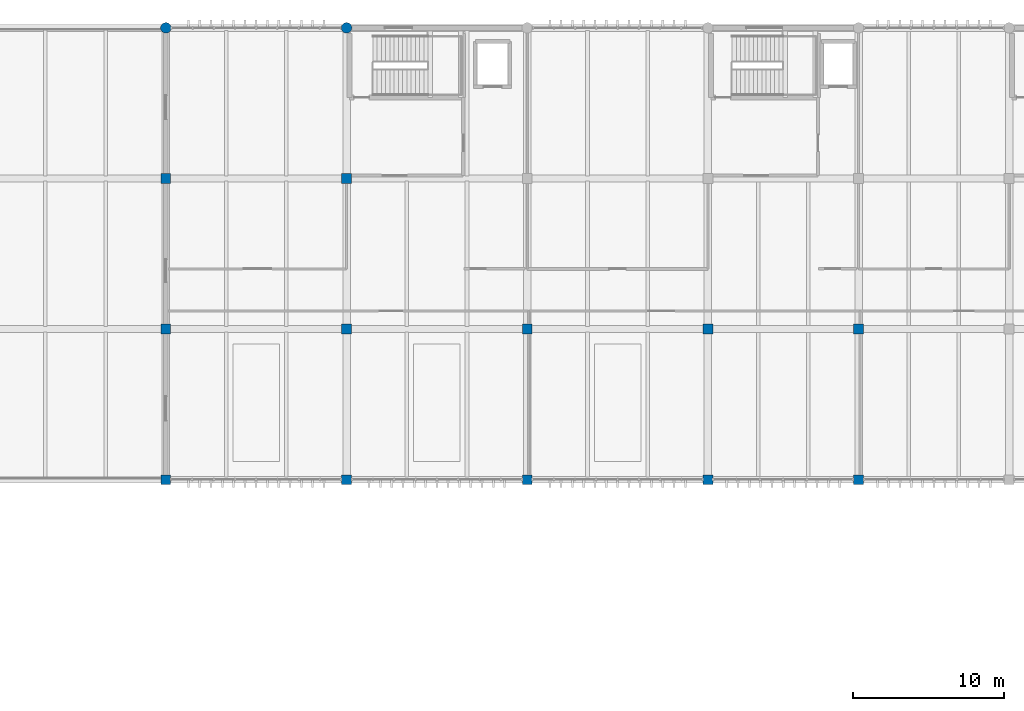
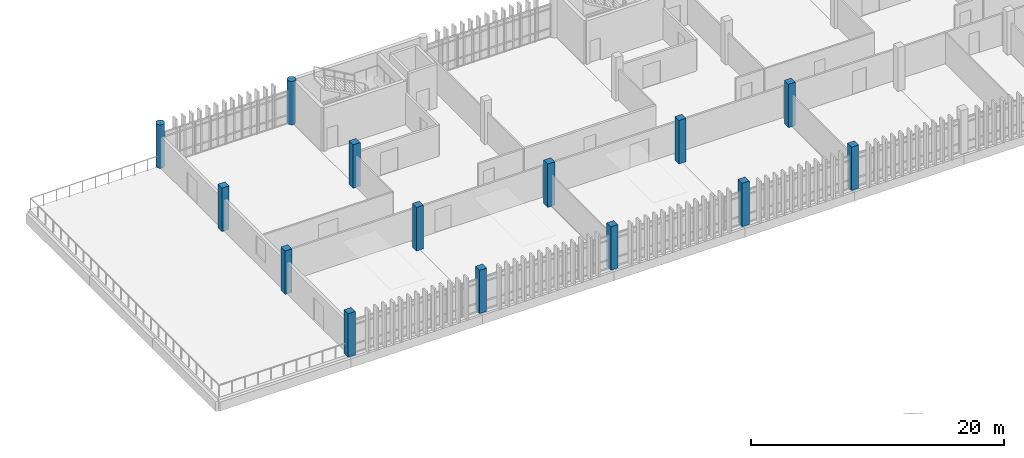
# One storey, part 1 of 82: 14 columns.
"""IFC4 building model written with IfcOpenShell, lengths in metres."""

from ifc_helpers import new_model, si_unit, direction, frame, origin, origin_2d, place, context, subcontext, project, spatial, rectangle, circle, extrude, material, material_profile, profile_set, type_object, element, save


model = new_model("IFC4")

# Units and contexts
model_context = context("Model", 3, precision=1e-05, world=origin(), true_north=direction((0.0, 1.0)))
body_context = subcontext(model_context, "Body", "Model", "MODEL_VIEW")
ifc_project = project(units=[si_unit("LENGTHUNIT", "METRE"), si_unit("AREAUNIT", "SQUARE_METRE"), si_unit("VOLUMEUNIT", "CUBIC_METRE"), si_unit("PLANEANGLEUNIT", "RADIAN"), si_unit("MASSUNIT", "GRAM", prefix="KILO")], contexts=[model_context])

# Site, building, storey
site_placement = place(None, origin())
site = spatial("IfcSite", under=ifc_project, at=site_placement, CompositionType="ELEMENT")
building_placement = place(site_placement, origin())
building = spatial("IfcBuilding", under=site, at=building_placement, Name="Mersad Railyard Sports Hall", CompositionType="ELEMENT")
storey_placement = place(building_placement, frame((0.0, 0.0, 13.199951171875)))
storey = spatial("IfcBuildingStorey", under=building, at=storey_placement, Name="L03", CompositionType="ELEMENT", Elevation=13.199951171875)

# Columns
ifc_material_1 = material(Name="Concrete C40/50", Category="concrete")
ifc_material_profile_1 = material_profile(ifc_material_1, rectangle(XDim=0.64990234375, YDim=0.64990234375, at=origin_2d()), Name="RC 650x650")
ifc_profile_set_1 = profile_set([ifc_material_profile_1], Name="Concrete C40/50")
column_type_1 = type_object("IfcColumnType", Name="STR-COL-C04", PredefinedType="COLUMN", material=ifc_profile_set_1)
for number, where, z_axis, x_axis, name in (
    (1, (55.0, 85.0, 0.0), (0.0, 0.0, 1.0), (1.0, 0.0, 0.0), "Column C04 L03 (55.0,85.0)"),
    (2, (55.0, 95.0, 0.0), (0.0, 0.0, 1.0), (1.0, 0.0, 0.0), "Column C04 L03 (55.0,95.0)"),
    (3, (55.0, 105.0, 0.0), (0.0, 0.0, 1.0), (1.0, 0.0, 0.0), "Column C04 L03 (55.0,105.0)"),
    (4, (67.0, 85.0, 0.0), (0.0, 0.0, 1.0), (1.0, 0.0, 0.0), "Column C04 L03 (67.0,85.0)"),
    (5, (67.0, 95.0, 0.0), (0.0, 0.0, 1.0), (1.0, 0.0, 0.0), "Column C04 L03 (67.0,95.0)"),
    (6, (67.0, 105.0, 0.0), (0.0, 0.0, 1.0), (1.0, 0.0, 0.0), "Column C04 L03 (67.0,105.0)"),
    (7, (79.0, 85.0, 0.0), (0.0, 0.0, 1.0), (1.0, 0.0, 0.0), "Column C04 L03 (79.0,85.0)"),
    (8, (79.0, 95.0, 0.0), (0.0, 0.0, 1.0), (1.0, 0.0, 0.0), "Column C04 L03 (79.0,95.0)"),
    (9, (91.0, 85.0, 0.0), (0.0, 0.0, 1.0), (1.0, 0.0, 0.0), "Column C04 L03 (91.0,85.0)"),
    (10, (91.0, 95.0, 0.0), (0.0, 0.0, 1.0), (1.0, 0.0, 0.0), "Column C04 L03 (91.0,95.0)"),
    (11, (101.0, 85.0, 0.0), (0.0, 0.0, 1.0), (1.0, 0.0, 0.0), "Column C04 L03 (101.0,85.0)"),
    (12, (101.0, 95.0, 0.0), (0.0, 0.0, 1.0), (1.0, 0.0, 0.0), "Column C04 L03 (101.0,95.0)"),
):
    element("IfcColumn", number, at=place(storey_placement, frame(where, z_axis=z_axis, x_axis=x_axis)), inside=storey, type_object=column_type_1, Name=name, PredefinedType="COLUMN", context=body_context, shape_type="SweptSolid", body=[
        extrude(rectangle(XDim=0.64990234375, YDim=0.64990234375, at=origin_2d()), origin(), (0.0, 0.0, 1.0), 4.199951171875),
    ])
ifc_material_2 = material(Name="Architectural concrete C40/50", Category="concrete")
ifc_material_profile_2 = material_profile(ifc_material_2, circle(Radius=0.35009765625, at=origin_2d()), Name="RC D700")
ifc_profile_set_2 = profile_set([ifc_material_profile_2], Name="Architectural concrete C40/50")
column_type_2 = type_object("IfcColumnType", Name="STR-COL-C08", PredefinedType="COLUMN", material=ifc_profile_set_2)
for number, where, z_axis, x_axis, name in (
    (13, (55.0, 115.0, 0.0), (0.0, 0.0, 1.0), (1.0, 0.0, 0.0), "Column C08 L03 (55.0,115.0)"),
    (14, (67.0, 115.0, 0.0), (0.0, 0.0, 1.0), (1.0, 0.0, 0.0), "Column C08 L03 (67.0,115.0)"),
):
    element("IfcColumn", number, at=place(storey_placement, frame(where, z_axis=z_axis, x_axis=x_axis)), inside=storey, type_object=column_type_2, Name=name, PredefinedType="COLUMN", context=body_context, shape_type="SweptSolid", body=[
        extrude(circle(Radius=0.35009765625, at=origin_2d()), origin(), (0.0, 0.0, 1.0), 4.199951171875),
    ])

save(model, "model.ifc")
